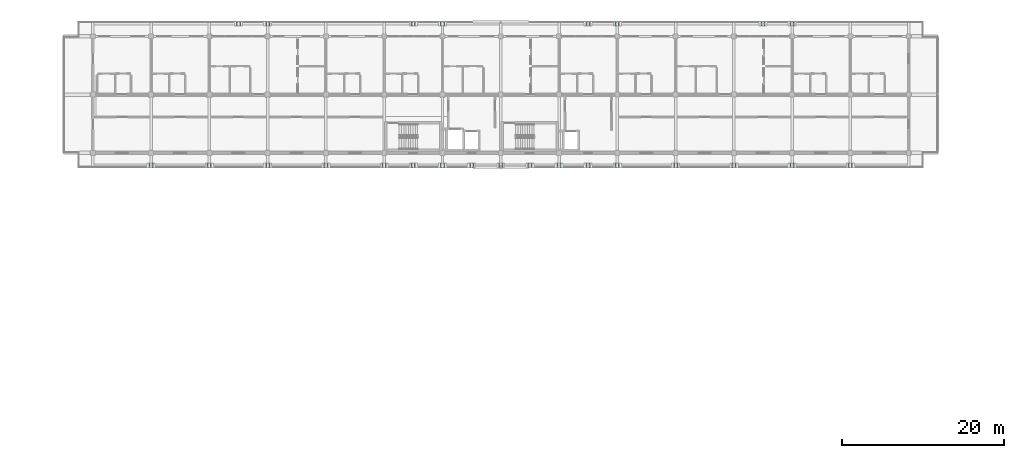
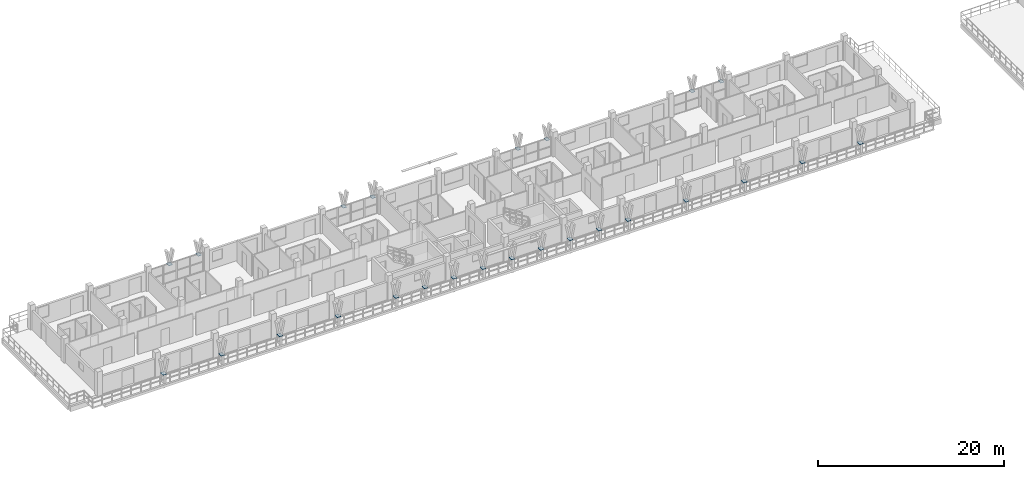
# One storey, part 32 of 73: 25 plates.
"""IFC4 building model written with IfcOpenShell, lengths in metres."""

from ifc_helpers import new_model, si_unit, direction, frame, origin, origin_2d, place, context, subcontext, project, spatial, rectangle, extrude, material, layer, layer_set, type_object, element, save


model = new_model("IFC4")

# Units and contexts
model_context = context("Model", 3, precision=1e-05, world=origin(), true_north=direction((0.0, 1.0)))
body_context = subcontext(model_context, "Body", "Model", "MODEL_VIEW")
ifc_project = project(units=[si_unit("LENGTHUNIT", "METRE"), si_unit("AREAUNIT", "SQUARE_METRE"), si_unit("VOLUMEUNIT", "CUBIC_METRE"), si_unit("PLANEANGLEUNIT", "RADIAN"), si_unit("MASSUNIT", "GRAM", prefix="KILO")], contexts=[model_context])

# Site, building, storey
site_placement = place(None, origin())
site = spatial("IfcSite", under=ifc_project, at=site_placement, CompositionType="ELEMENT")
building_placement = place(site_placement, origin())
building = spatial("IfcBuilding", under=site, at=building_placement, Name="Suanplinth Sawtooth Commons", CompositionType="ELEMENT")
storey_placement = place(building_placement, frame((0.0, 0.0, 21.89990234375)))
storey = spatial("IfcBuildingStorey", under=building, at=storey_placement, Name="L06", CompositionType="ELEMENT", Elevation=21.89990234375)

# Plates
ifc_material = material(Name="Pigmented precast concrete C40/50", Category="concrete")
ifc_layer = layer(ifc_material, 0.06005859375, Name="Precast Y-blade bifurcation node plate 60mm")
ifc_layer_set = layer_set([ifc_layer], Name="Pigmented precast concrete C40/50")
plate_type = type_object("IfcPlateType", Name="PL-04", PredefinedType="USERDEFINED", material=ifc_layer_set)
for number, where, z_axis, x_axis, name in (
    (1, (25.199951171875, 123.919921875, 1.1201171875), (0.0, 0.0, 1.0), (1.0, 0.0, 0.0), "Y-Blade Node Plate L06-A-N-01"),
    (2, (28.800048828125, 123.919921875, 1.1201171875), (0.0, 0.0, 1.0), (1.0, 0.0, 0.0), "Y-Blade Node Plate L06-A-N-02"),
    (3, (46.800048828125, 123.919921875, 1.1201171875), (0.0, 0.0, 1.0), (1.0, 0.0, 0.0), "Y-Blade Node Plate L06-A-N-03"),
    (4, (50.39990234375, 123.919921875, 1.1201171875), (0.0, 0.0, 1.0), (1.0, 0.0, 0.0), "Y-Blade Node Plate L06-A-N-04"),
    (5, (68.39990234375, 123.919921875, 1.1201171875), (0.0, 0.0, 1.0), (1.0, 0.0, 0.0), "Y-Blade Node Plate L06-A-N-05"),
    (6, (72.0, 123.919921875, 1.1201171875), (0.0, 0.0, 1.0), (1.0, 0.0, 0.0), "Y-Blade Node Plate L06-A-N-06"),
    (7, (90.0, 123.919921875, 1.1201171875), (0.0, 0.0, 1.0), (1.0, 0.0, 0.0), "Y-Blade Node Plate L06-A-N-07"),
    (8, (93.60009765625, 123.919921875, 1.1201171875), (0.0, 0.0, 1.0), (1.0, 0.0, 0.0), "Y-Blade Node Plate L06-A-N-08"),
    (9, (14.39990234375, 106.47998046875, 1.1201171875), (0.0, 0.0, 1.0), (1.0, 0.0, 0.0), "Y-Blade Node Plate L06-A-S-09"),
    (10, (21.60009765625, 106.47998046875, 1.1201171875), (0.0, 0.0, 1.0), (1.0, 0.0, 0.0), "Y-Blade Node Plate L06-A-S-10"),
    (11, (28.800048828125, 106.47998046875, 1.1201171875), (0.0, 0.0, 1.0), (1.0, 0.0, 0.0), "Y-Blade Node Plate L06-A-S-11"),
    (12, (36.0, 106.47998046875, 1.1201171875), (0.0, 0.0, 1.0), (1.0, 0.0, 0.0), "Y-Blade Node Plate L06-A-S-12"),
    (13, (43.199951171875, 106.47998046875, 1.1201171875), (0.0, 0.0, 1.0), (1.0, 0.0, 0.0), "Y-Blade Node Plate L06-A-S-13"),
    (14, (46.800048828125, 106.47998046875, 1.1201171875), (0.0, 0.0, 1.0), (1.0, 0.0, 0.0), "Y-Blade Node Plate L06-A-S-14"),
    (15, (50.39990234375, 106.47998046875, 1.1201171875), (0.0, 0.0, 1.0), (1.0, 0.0, 0.0), "Y-Blade Node Plate L06-A-S-15"),
    (16, (54.0, 106.47998046875, 1.1201171875), (0.0, 0.0, 1.0), (1.0, 0.0, 0.0), "Y-Blade Node Plate L06-A-S-16"),
    (17, (57.60009765625, 106.47998046875, 1.1201171875), (0.0, 0.0, 1.0), (1.0, 0.0, 0.0), "Y-Blade Node Plate L06-A-S-17"),
    (18, (61.199951171875, 106.47998046875, 1.1201171875), (0.0, 0.0, 1.0), (1.0, 0.0, 0.0), "Y-Blade Node Plate L06-A-S-18"),
    (19, (64.800048828125, 106.47998046875, 1.1201171875), (0.0, 0.0, 1.0), (1.0, 0.0, 0.0), "Y-Blade Node Plate L06-A-S-19"),
    (20, (68.39990234375, 106.47998046875, 1.1201171875), (0.0, 0.0, 1.0), (1.0, 0.0, 0.0), "Y-Blade Node Plate L06-A-S-20"),
    (21, (72.0, 106.47998046875, 1.1201171875), (0.0, 0.0, 1.0), (1.0, 0.0, 0.0), "Y-Blade Node Plate L06-A-S-21"),
    (22, (79.199951171875, 106.47998046875, 1.1201171875), (0.0, 0.0, 1.0), (1.0, 0.0, 0.0), "Y-Blade Node Plate L06-A-S-22"),
    (23, (86.39990234375, 106.47998046875, 1.1201171875), (0.0, 0.0, 1.0), (1.0, 0.0, 0.0), "Y-Blade Node Plate L06-A-S-23"),
    (24, (93.60009765625, 106.47998046875, 1.1201171875), (0.0, 0.0, 1.0), (1.0, 0.0, 0.0), "Y-Blade Node Plate L06-A-S-24"),
    (25, (100.800048828125, 106.47998046875, 1.1201171875), (0.0, 0.0, 1.0), (1.0, 0.0, 0.0), "Y-Blade Node Plate L06-A-S-25"),
):
    element("IfcPlate", number, at=place(storey_placement, frame(where, z_axis=z_axis, x_axis=x_axis)), inside=storey, type_object=plate_type, Name=name, ObjectType="GUSSET PLATE", PredefinedType="USERDEFINED", context=body_context, shape_type="SweptSolid", body=[
        extrude(rectangle(XDim=0.43994140625, YDim=0.550048828125, at=origin_2d()), origin(), (0.0, 0.0, 1.0), 0.06005859375),
    ])

save(model, "model.ifc")
